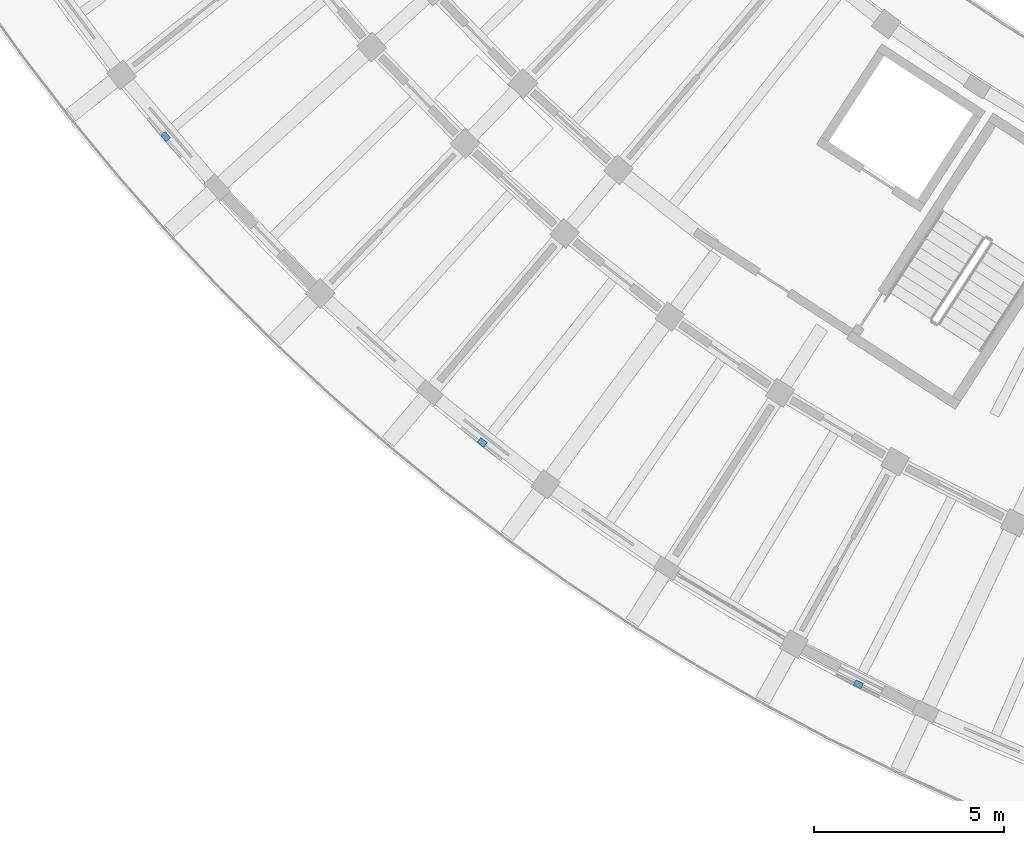
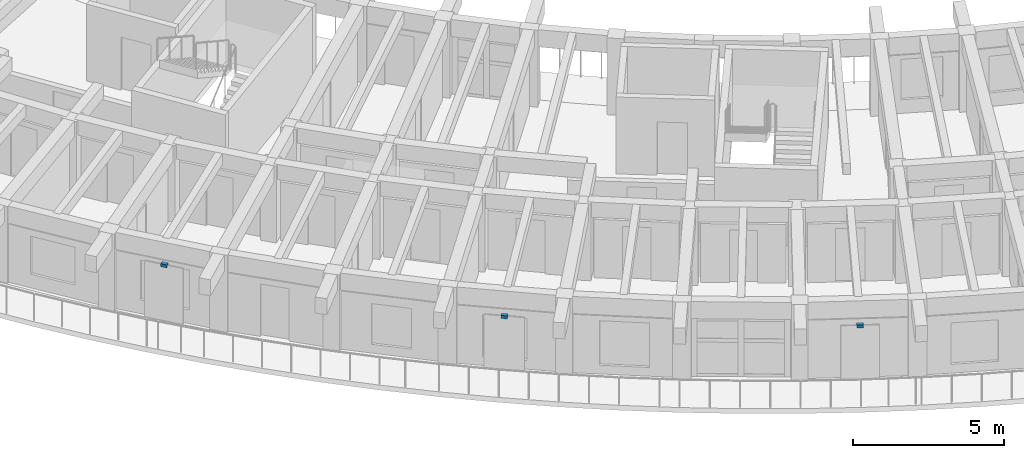
# One storey, part 57 of 78: 3 discrete accessories.
"""IFC4 building model written with IfcOpenShell, lengths in metres."""

from ifc_helpers import new_model, si_unit, direction, frame, origin, origin_2d, place, context, subcontext, project, spatial, rectangle, extrude, material, type_object, element, save


model = new_model("IFC4")

# Units and contexts
model_context = context("Model", 3, precision=1e-05, world=origin(), true_north=direction((0.0, 1.0)))
body_context = subcontext(model_context, "Body", "Model", "MODEL_VIEW")
ifc_project = project(units=[si_unit("LENGTHUNIT", "METRE"), si_unit("AREAUNIT", "SQUARE_METRE"), si_unit("VOLUMEUNIT", "CUBIC_METRE"), si_unit("PLANEANGLEUNIT", "RADIAN"), si_unit("MASSUNIT", "GRAM", prefix="KILO")], contexts=[model_context])

# Site, building, storey
site_placement = place(None, origin())
site = spatial("IfcSite", under=ifc_project, at=site_placement, CompositionType="ELEMENT")
building_placement = place(site_placement, origin())
building = spatial("IfcBuilding", under=site, at=building_placement, Name="Tanwirah Colonnade Gardens", CompositionType="ELEMENT")
storey_placement = place(building_placement, frame((0.0, 0.0, 22.280029296875)))
storey = spatial("IfcBuildingStorey", under=building, at=storey_placement, Name="L06", CompositionType="ELEMENT", Elevation=22.280029296875)

# Discrete accessories
ifc_material = material(Name="Steel S355", Category="steel")
discrete_accessory_type = type_object("IfcDiscreteAccessoryType", Name="BRK-SS1", PredefinedType="BRACKET", material=ifc_material)
for number, where, z_axis, x_axis, name in (
    (1, (19.5556640625, 25.798828125, 2.159912109375), (0.0, 0.0, 1.0), (0.647787018861, -0.761821487092, 0.0), "Solar screen support bracket C-L06-06"),
    (2, (27.908447265625, 17.732666015625, 2.0498046875), (0.0, 0.0, 1.0), (0.783964634348, -0.620805486519, 0.0), "Solar screen support bracket C-L06-09"),
    (3, (37.8251953125, 11.35400390625, 2.06982421875), (0.0, 0.0, 1.0), (0.890014924435, -0.455931392078, 0.0), "Solar screen support bracket C-L06-12"),
):
    element("IfcDiscreteAccessory", number, at=place(storey_placement, frame(where, z_axis=z_axis, x_axis=x_axis)), inside=storey, type_object=discrete_accessory_type, Name=name, PredefinedType="BRACKET", context=body_context, shape_type="SweptSolid", body=[
        extrude(rectangle(XDim=0.219970703125, YDim=0.159912109375, at=origin_2d()), origin(), (0.0, 0.0, 1.0), 0.1201171875),
    ])

save(model, "model.ifc")
